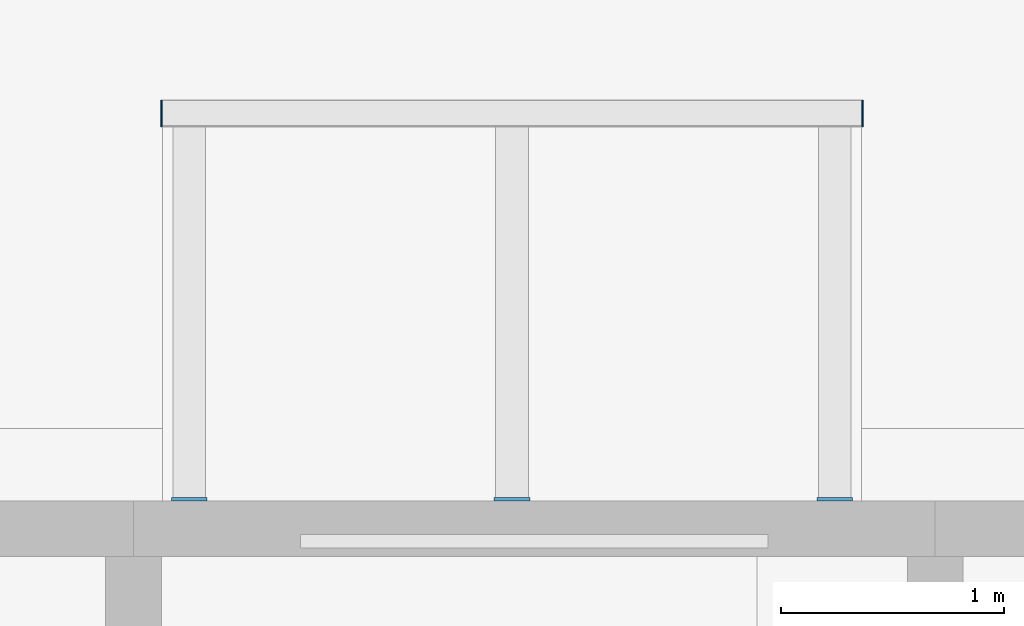
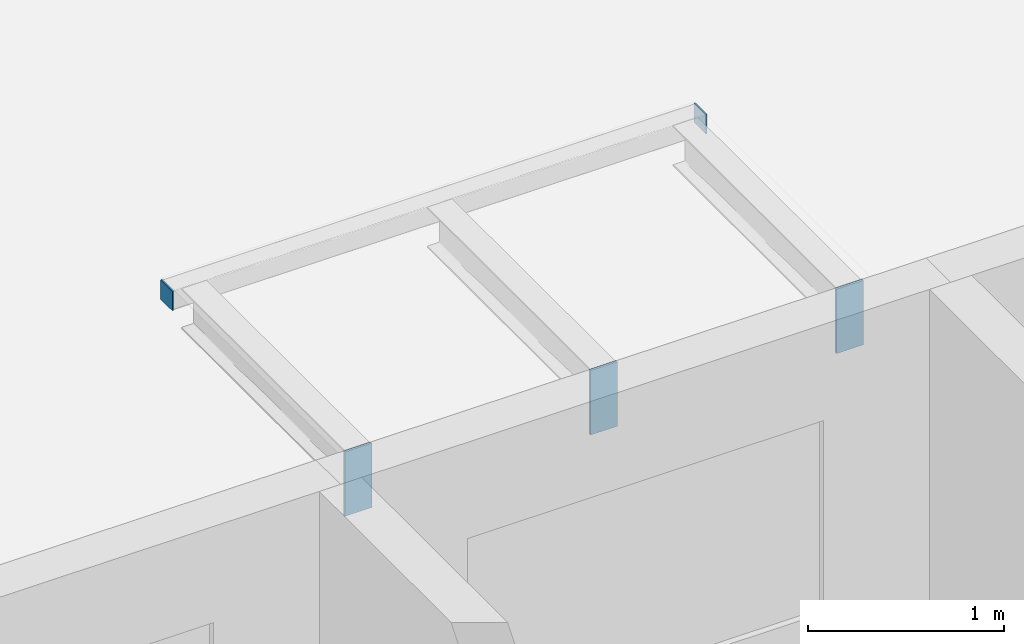
# One storey, part 83 of 112: 5 discrete accessories.
"""IFC4 building model written with IfcOpenShell, lengths in metres."""

import ifcopenshell
import ifcopenshell.guid

model = None  # the IFC model being written
_history = None  # IfcOwnerHistory: only IFC2X3 demands one
_inside = {}  # id of a spatial element -> (the spatial element, [elements in it])
_under = {}  # id of a project, library or spatial element -> (it, [spatial elements below it])
_declared = {}  # id of a project -> (the project, [libraries it declares])
_typed = {}  # id of a type object -> (the type object, [elements of that type])
_made_of = {}  # id of a material, layer set ... -> (it, [elements and type objects made of it])


def new_model(schema):
    """Start an empty IFC model of exactly this schema.

    Asked for "IFC4X3", IfcOpenShell would pick the latest addendum, in which some entities
    have other attributes; the version numbers below select the first issue.
    IFC2X3 requires an IfcOwnerHistory on every rooted entity: one is made here for all.
    """
    global model, _history
    if schema == "IFC4X3":
        model = ifcopenshell.file(schema_version=(4, 3, 0, 0))
    else:
        model = ifcopenshell.file(schema=schema)
    _inside.clear()
    _under.clear()
    _declared.clear()
    _typed.clear()
    _made_of.clear()
    _history = None
    if model.schema == "IFC2X3":
        org = make("IfcOrganization", Name="unknown")
        user = make(
            "IfcPersonAndOrganization",
            ThePerson=make("IfcPerson", FamilyName="unknown"),
            TheOrganization=org,
        )
        app = make(
            "IfcApplication",
            ApplicationDeveloper=org,
            Version="unknown",
            ApplicationFullName="unknown",
            ApplicationIdentifier="unknown",
        )
        _history = make(
            "IfcOwnerHistory",
            OwningUser=user,
            OwningApplication=app,
            ChangeAction="ADDED",
            CreationDate=0,
        )
    return model


def make(cls, **values):
    """One entity of the class cls with the attributes given. An attribute that is None is left unset."""
    return model.create_entity(
        cls, **{name: value for name, value in values.items() if value is not None}
    )


def rooted(cls, **values):
    """An entity with a GlobalId (a new one), such as an element, a storey or a relation."""
    return make(cls, GlobalId=ifcopenshell.guid.new(), OwnerHistory=_history, **values)


def si_unit(unit_type, name, prefix=None):
    """IfcSIUnit, for example si_unit("LENGTHUNIT", "METRE", prefix="MILLI")."""
    return make("IfcSIUnit", UnitType=unit_type, Prefix=prefix, Name=name)


def assignment(units):
    """IfcUnitAssignment: the units of a project."""
    return None if units is None else make("IfcUnitAssignment", Units=units)


def point(xyz):
    """IfcCartesianPoint."""
    return None if xyz is None else make("IfcCartesianPoint", Coordinates=xyz)


def direction(xyz):
    """IfcDirection."""
    return None if xyz is None else make("IfcDirection", DirectionRatios=xyz)


def frame(location, z_axis=None, x_axis=None):
    """IfcAxis2Placement3D, a coordinate frame: its origin and axes. An axis left out is left unset."""
    return make(
        "IfcAxis2Placement3D",
        Location=point(location),
        Axis=direction(z_axis),
        RefDirection=direction(x_axis),
    )


def frame_2d(location, x_axis=None):
    """IfcAxis2Placement2D, a coordinate frame in the plane: its origin and x axis."""
    return make(
        "IfcAxis2Placement2D", Location=point(location), RefDirection=direction(x_axis)
    )


def origin():
    """The frame at (0, 0, 0) with its axes left unset."""
    return frame((0.0, 0.0, 0.0))


def origin_2d():
    """The frame at (0, 0) in the plane with its x axis left unset."""
    return frame_2d((0.0, 0.0))


def place(relative_to, where):
    """IfcLocalPlacement: puts the frame where relative to a parent placement (None: the world)."""
    return make(
        "IfcLocalPlacement", PlacementRelTo=relative_to, RelativePlacement=where
    )


def context(
    kind, dimensions, precision=None, world=None, true_north=None, identifier=None
):
    """IfcGeometricRepresentationContext, for example the 3D "Model" context."""
    return make(
        "IfcGeometricRepresentationContext",
        ContextIdentifier=identifier,
        ContextType=kind,
        CoordinateSpaceDimension=dimensions,
        Precision=precision,
        WorldCoordinateSystem=world,
        TrueNorth=true_north,
    )


def subcontext(parent, identifier, kind, view, scale=None):
    """IfcGeometricRepresentationSubContext, for example "Body" below "Model"."""
    return make(
        "IfcGeometricRepresentationSubContext",
        ContextIdentifier=identifier,
        ContextType=kind,
        ParentContext=parent,
        TargetScale=scale,
        TargetView=view,
    )


def project(units=None, contexts=None):
    """IfcProject with its units and contexts."""
    return rooted(
        "IfcProject",
        Name="project",
        RepresentationContexts=contexts,
        UnitsInContext=assignment(units),
    )


def spatial(cls, under=None, at=None, **own):
    """A site, building, storey or space (cls), placed at a placement, below another one or the project."""
    s = rooted(cls, ObjectPlacement=at, **own)
    if under is not None:
        _under.setdefault(under.id(), (under, []))[1].append(s)
    return s


def profile(cls, at=None, kind="AREA", **sizes):
    """A parametric profile (cls). Its sizes go by their IFC names, for example OverallWidth=200.0."""
    return make(cls, ProfileType=kind, Position=at, **sizes)


def rectangle(**sizes):
    """IfcRectangleProfileDef."""
    return profile("IfcRectangleProfileDef", **sizes)


def extrude(swept, where, along, depth):
    """IfcExtrudedAreaSolid: the profile swept, set in the frame where, extruded along a direction by depth."""
    return make(
        "IfcExtrudedAreaSolid",
        SweptArea=swept,
        Position=where,
        ExtrudedDirection=direction(along),
        Depth=depth,
    )


def shape(context_of_items, identifier, shape_type, items):
    """IfcShapeRepresentation: the items that make up one representation, for example the "Body"."""
    return make(
        "IfcShapeRepresentation",
        ContextOfItems=context_of_items,
        RepresentationIdentifier=identifier,
        RepresentationType=shape_type,
        Items=items,
    )


def material(Name=None, Category=None):
    """IfcMaterial."""
    return make("IfcMaterial", Name=Name, Category=Category)


def layer(
    of_material, thickness, ventilated=None, Name=None, Category=None, Priority=None
):
    """IfcMaterialLayer: one layer of a wall or slab, of a material (None: an air gap)."""
    return make(
        "IfcMaterialLayer",
        Material=of_material,
        LayerThickness=thickness,
        IsVentilated=ventilated,
        Name=Name,
        Category=Category,
        Priority=Priority,
    )


def layer_set(layers, Name=None):
    """IfcMaterialLayerSet."""
    return make("IfcMaterialLayerSet", MaterialLayers=layers, LayerSetName=Name)


def made_of(thing, what):
    """Note that an element or type object is made of a material, layer set ...; save() writes the relation."""
    if what is not None:
        _made_of.setdefault(what.id(), (what, []))[1].append(thing)
    return thing


def type_object(cls, material=None, **own):
    """A type object (cls), such as IfcWallType, which elements share."""
    return made_of(rooted(cls, **own), material)


def element(
    cls,
    number,
    at=None,
    inside=None,
    cuts=None,
    type_object=None,
    material=None,
    context=None,
    identifier="Body",
    shape_type=None,
    held_by="IfcProductDefinitionShape",
    body=None,
    shapes=None,
    **own,
):
    """One element of the class cls, such as IfcWall. Its Tag is "e" and its number.

    at: its placement. inside: the storey or other place that contains it. cuts: it is an
    opening in that element (IfcRelVoidsElement). A single representation is given by context,
    identifier, shape_type and body (its items); several are given by shapes. held_by: the class
    of the entity that holds the representations. save() writes the other relations.
    """
    e = rooted(cls, Tag="e%d" % number, ObjectPlacement=at, **own)
    if body is not None:
        shapes = [shape(context, identifier, shape_type, body)]
    if shapes is not None:
        e.Representation = make(held_by, Representations=shapes)
    if inside is not None:
        _inside.setdefault(inside.id(), (inside, []))[1].append(e)
    if cuts is not None:
        rooted(
            "IfcRelVoidsElement", RelatingBuildingElement=cuts, RelatedOpeningElement=e
        )
    if type_object is not None:
        _typed.setdefault(type_object.id(), (type_object, []))[1].append(e)
    return made_of(e, material)


def aggregate(whole, parts):
    """IfcRelAggregates: a whole, such as a stair, and the parts it consists of."""
    return rooted("IfcRelAggregates", RelatingObject=whole, RelatedObjects=parts)


def save(model, path):
    """Write the relations noted so far, then the file.

    IfcRelAggregates (storeys below a building ...), IfcRelContainedInSpatialStructure (elements
    in a storey), IfcRelDefinesByType, IfcRelAssociatesMaterial and IfcRelDeclares: one each for
    every whole, place, type object, material and project.
    """
    for whole, parts in _under.values():
        aggregate(whole, parts)
    for where, things in _inside.values():
        rooted(
            "IfcRelContainedInSpatialStructure",
            RelatedElements=things,
            RelatingStructure=where,
        )
    for kind, things in _typed.values():
        rooted("IfcRelDefinesByType", RelatedObjects=things, RelatingType=kind)
    for what, things in _made_of.values():
        rooted("IfcRelAssociatesMaterial", RelatedObjects=things, RelatingMaterial=what)
    for by, libraries in _declared.values():
        rooted("IfcRelDeclares", RelatingContext=by, RelatedDefinitions=libraries)
    model.write(path)


model = new_model("IFC4")

# Units and contexts
model_context = context("Model", 3, precision=1e-05, world=origin(), true_north=direction((0.0, 1.0)))
body_context = subcontext(model_context, "Body", "Model", "MODEL_VIEW")
ifc_project = project(units=[si_unit("LENGTHUNIT", "METRE"), si_unit("AREAUNIT", "SQUARE_METRE"), si_unit("VOLUMEUNIT", "CUBIC_METRE"), si_unit("PLANEANGLEUNIT", "RADIAN"), si_unit("MASSUNIT", "GRAM", prefix="KILO")], contexts=[model_context])

# Site, building, storey
site_placement = place(None, origin())
site = spatial("IfcSite", under=ifc_project, at=site_placement, CompositionType="ELEMENT")
building_placement = place(site_placement, origin())
building = spatial("IfcBuilding", under=site, at=building_placement, Name="Ridgestep Commons", CompositionType="ELEMENT")
storey_placement = place(building_placement, origin())
storey = spatial("IfcBuildingStorey", under=building, at=storey_placement, Name="L00", CompositionType="ELEMENT", Elevation=0.0)

# Discrete accessories
ifc_material_1 = material(Name="Weathering steel S355J2W", Category="steel")
ifc_layer_1 = layer(ifc_material_1, 0.014892578125)
ifc_layer_set_1 = layer_set([ifc_layer_1], Name="Tray bracket plate 15")
discrete_accessory_type_1 = type_object("IfcDiscreteAccessoryType", Name="Tray bracket plate 15", PredefinedType="BRACKET", material=ifc_layer_set_1)
for number, where, z_axis, x_axis, name in (
    (1, (69.85009765625, 77.257568359375, 2.588623046875), (0.0, 0.0, 1.0), (1.0, 0.0, 0.0), "Tray bracket B4T3-01.1"),
    (2, (71.300048828125, 77.257568359375, 2.588623046875), (0.0, 0.0, 1.0), (1.0, 0.0, 0.0), "Tray bracket B4T3-01.2"),
    (3, (72.75, 77.257568359375, 2.588623046875), (0.0, 0.0, 1.0), (1.0, 0.0, 0.0), "Tray bracket B4T3-01.3"),
):
    element("IfcDiscreteAccessory", number, at=place(storey_placement, frame(where, z_axis=z_axis, x_axis=x_axis)), inside=storey, type_object=discrete_accessory_type_1, Name=name, PredefinedType="BRACKET", context=body_context, shape_type="SweptSolid", body=[
        extrude(rectangle(XDim=0.159912109375, YDim=0.014892578125, at=origin_2d()), origin(), (0.0, 0.0, 1.0), 0.4013671875),
    ])
ifc_material_2 = material(Name="Weathering steel S355J2W", Category="steel")
ifc_layer_2 = layer(ifc_material_2, 0.008056640625)
ifc_layer_set_2 = layer_set([ifc_layer_2], Name="Tray edge member end plate 120 x 120 x 8")
discrete_accessory_type_2 = type_object("IfcDiscreteAccessoryType", Name="Tray edge member end plate 120 x 120 x 8", PredefinedType="BRACKET", material=ifc_layer_set_2)
for number, where, z_axis, x_axis, name in (
    (4, (69.72607421875, 78.989990234375, 2.869873046875), (0.0, 0.0, 1.0), (1.0, 0.0, 0.0), "Tray edge member end plate B4T3-01 west"),
    (5, (72.8740234375, 78.989990234375, 2.869873046875), (0.0, 0.0, 1.0), (1.0, 0.0, 0.0), "Tray edge member end plate B4T3-01 east"),
):
    element("IfcDiscreteAccessory", number, at=place(storey_placement, frame(where, z_axis=z_axis, x_axis=x_axis)), inside=storey, type_object=discrete_accessory_type_2, Name=name, PredefinedType="BRACKET", context=body_context, shape_type="SweptSolid", body=[
        extrude(rectangle(XDim=0.008056640625, YDim=0.1201171875, at=origin_2d()), origin(), (0.0, 0.0, 1.0), 0.1201171875),
    ])

save(model, "model.ifc")
